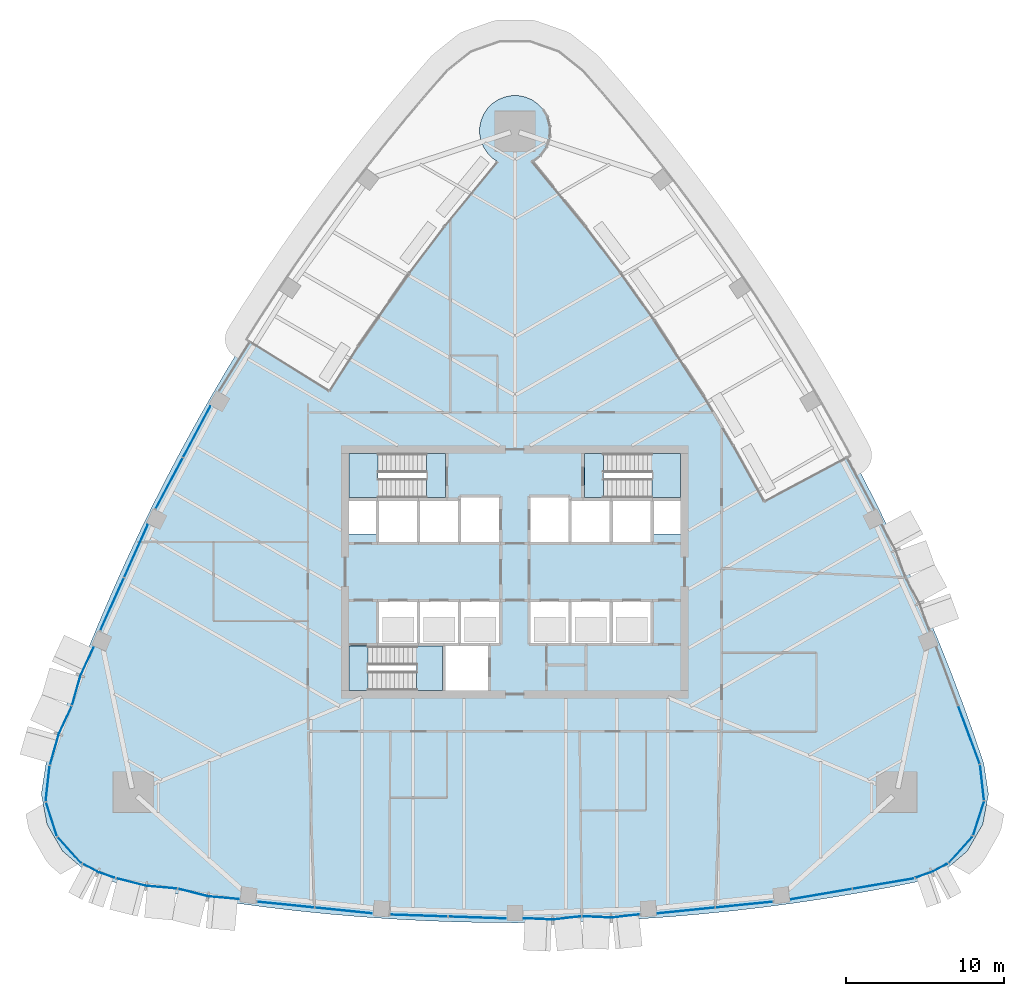
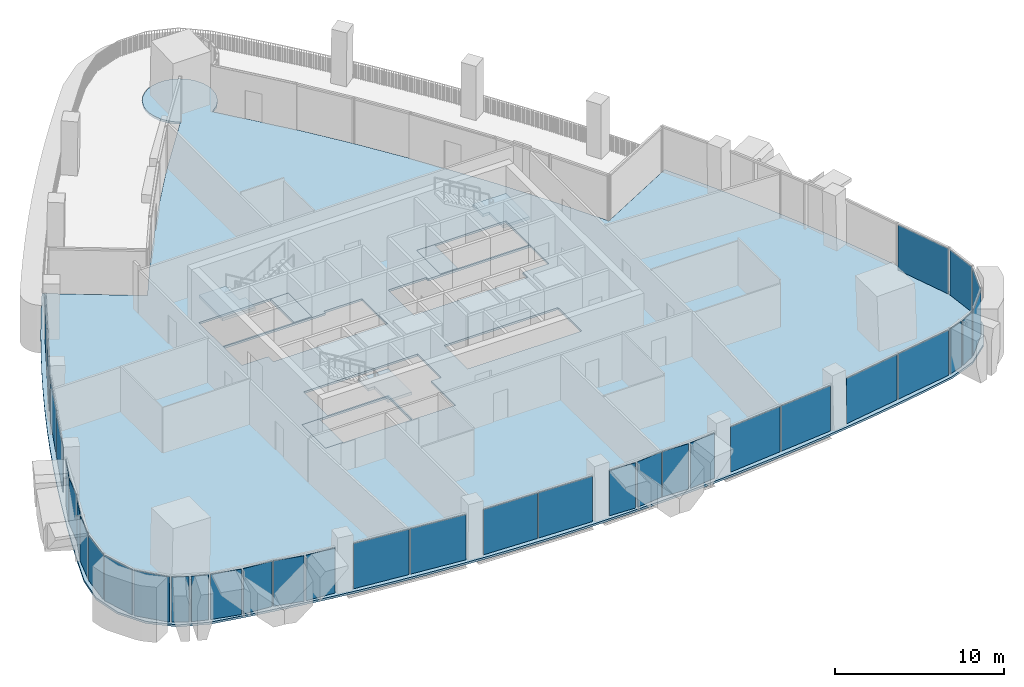
# One storey, part 8 of 21: 35 plates, 7 slabs, 21 elements without a shape of their own.
"""IFC4 building model written with IfcOpenShell, lengths in metres."""

from ifc_helpers import new_model, si_unit, direction, frame, origin, origin_2d, place, context, subcontext, project, spatial, polyline, rectangle, outline, extrude, material, layer, layer_set, type_object, element, aggregate, save


model = new_model("IFC4")

# Units and contexts
model_context = context("Model", 3, precision=1e-05, world=origin(), true_north=direction((0.0, 1.0)))
body_context = subcontext(model_context, "Body", "Model", "MODEL_VIEW")
ifc_project = project(units=[si_unit("LENGTHUNIT", "METRE"), si_unit("AREAUNIT", "SQUARE_METRE"), si_unit("VOLUMEUNIT", "CUBIC_METRE"), si_unit("PLANEANGLEUNIT", "RADIAN"), si_unit("MASSUNIT", "GRAM", prefix="KILO")], contexts=[model_context])

# Site, building, storey
site_placement = place(None, origin())
site = spatial("IfcSite", under=ifc_project, at=site_placement, CompositionType="ELEMENT")
building_placement = place(site_placement, origin())
building = spatial("IfcBuilding", under=site, at=building_placement, Name="Sierra Prisma Convention Tower", CompositionType="ELEMENT")
storey_placement = place(building_placement, frame((0.0, 0.0, 157.800048828125)))
storey = spatial("IfcBuildingStorey", under=building, at=storey_placement, Name="L34", CompositionType="ELEMENT", Elevation=157.800048828125)

# Curtain wall, plates
ifc_material_1 = material(Name="Aluminium and glass curtain wall", Category="aluminium")
ifc_layer_1 = layer(ifc_material_1, 0.179931640625)
ifc_layer_set_1 = layer_set([ifc_layer_1], Name="CW-1 Plain shaft curtain wall")
curtain_wall_type_1 = type_object("IfcCurtainWallType", Name="CW-1 Plain shaft curtain wall", PredefinedType="NOTDEFINED", material=ifc_layer_set_1)
curtain_wall_1_placement = place(storey_placement, origin())
curtain_wall_1 = element("IfcCurtainWall", 1, at=curtain_wall_1_placement, inside=storey, type_object=curtain_wall_type_1, Name="CW-1 NW4 L34", PredefinedType="NOTDEFINED")
ifc_material_2 = material(Name="Tinted glass bronze-grey IGU", Category="glass")
ifc_layer_2 = layer(ifc_material_2, 0.028076171875)
ifc_layer_set_2 = layer_set([ifc_layer_2], Name="CW-1 glass panel")
plate_type_1 = type_object("IfcPlateType", Name="CW-1 glass panel", PredefinedType="CURTAIN_PANEL", material=ifc_layer_set_2)
plate_1_placement = place(storey_placement, frame((-20.150146484375, 8.87841796875, 0.0), z_axis=(0.0, 0.0, 1.0), x_axis=(-0.470587643106, -0.88235325701, 0.0)))
plate_1 = element("IfcPlate", 2, at=plate_1_placement, type_object=plate_type_1, Name="CW-1 panel NW4.1", PredefinedType="CURTAIN_PANEL", context=body_context, shape_type="SweptSolid", body=[
    extrude(rectangle(XDim=3.634765625, YDim=0.028076171875, at=origin_2d()), origin(), (0.0, 0.0, 1.0), 3.280029296875),
])
plate_2_placement = place(storey_placement, frame((-21.8935546875, 5.609375, 0.0), z_axis=(0.0, 0.0, 1.0), x_axis=(-0.470587643106, -0.88235325701, 0.0)))
plate_2 = element("IfcPlate", 3, at=plate_2_placement, type_object=plate_type_1, Name="CW-1 panel NW4.2", PredefinedType="CURTAIN_PANEL", context=body_context, shape_type="SweptSolid", body=[
    extrude(rectangle(XDim=3.634765625, YDim=0.028076171875, at=origin_2d()), origin(), (0.0, 0.0, 1.0), 3.280029296875),
])
aggregate(curtain_wall_1, [plate_1, plate_2])

curtain_wall_2_placement = place(storey_placement, origin())
curtain_wall_2 = element("IfcCurtainWall", 4, at=curtain_wall_2_placement, inside=storey, type_object=curtain_wall_type_1, Name="CW-1 NW5 L34", PredefinedType="NOTDEFINED")
plate_3_placement = place(storey_placement, frame((-23.9990234375, 1.32177734375, 0.0), z_axis=(0.0, 0.0, 1.0), x_axis=(-0.410199145851, -0.911995976276, 0.0)))
plate_3 = element("IfcPlate", 5, at=plate_3_placement, type_object=plate_type_1, Name="CW-1 panel NW5.1", PredefinedType="CURTAIN_PANEL", context=body_context, shape_type="SweptSolid", body=[
    extrude(rectangle(XDim=3.61865234375, YDim=0.028076171875, at=origin_2d()), origin(), (0.0, 0.0, 1.0), 3.280029296875),
])
plate_4_placement = place(storey_placement, frame((-25.511962890625, -2.042236328125, 0.0), z_axis=(0.0, 0.0, 1.0), x_axis=(-0.410199145851, -0.911995976276, 0.0)))
plate_4 = element("IfcPlate", 6, at=plate_4_placement, type_object=plate_type_1, Name="CW-1 panel NW5.2", PredefinedType="CURTAIN_PANEL", context=body_context, shape_type="SweptSolid", body=[
    extrude(rectangle(XDim=3.61865234375, YDim=0.028076171875, at=origin_2d()), origin(), (0.0, 0.0, 1.0), 3.280029296875),
])
aggregate(curtain_wall_2, [plate_3, plate_4])

# Curtain wall, plate
curtain_wall_3_placement = place(storey_placement, origin())
curtain_wall_3 = element("IfcCurtainWall", 7, at=curtain_wall_3_placement, inside=storey, type_object=curtain_wall_type_1, Name="CW-1 SW1 L34", PredefinedType="NOTDEFINED")
plate_5_placement = place(storey_placement, frame((-29.589599609375, -13.371826171875, 0.0), z_axis=(0.0, 0.0, 1.0), x_axis=(-0.110185660095, -0.99391102233, 0.0)))
plate_5 = element("IfcPlate", 8, at=plate_5_placement, type_object=plate_type_1, Name="CW-1 panel SW1.1", PredefinedType="CURTAIN_PANEL", context=body_context, shape_type="SweptSolid", body=[
    extrude(rectangle(XDim=2.1884765625, YDim=0.028076171875, at=origin_2d()), origin(), (0.0, 0.0, 1.0), 3.280029296875),
])
aggregate(curtain_wall_3, [plate_5])

curtain_wall_4_placement = place(storey_placement, origin())
curtain_wall_4 = element("IfcCurtainWall", 9, at=curtain_wall_4_placement, inside=storey, type_object=curtain_wall_type_1, Name="CW-1 SW2 L34", PredefinedType="NOTDEFINED")
plate_6_placement = place(storey_placement, frame((-29.3603515625, -15.63671875, 0.0), z_axis=(0.0, 0.0, 1.0), x_axis=(0.307212573762, -0.951640916797, 0.0)))
plate_6 = element("IfcPlate", 10, at=plate_6_placement, type_object=plate_type_1, Name="CW-1 panel SW2.1", PredefinedType="CURTAIN_PANEL", context=body_context, shape_type="SweptSolid", body=[
    extrude(rectangle(XDim=2.1884765625, YDim=0.028076171875, at=origin_2d()), origin(), (0.0, 0.0, 1.0), 3.280029296875),
])
aggregate(curtain_wall_4, [plate_6])

curtain_wall_5_placement = place(storey_placement, origin())
curtain_wall_5 = element("IfcCurtainWall", 11, at=curtain_wall_5_placement, inside=storey, type_object=curtain_wall_type_1, Name="CW-1 SW3 L34", PredefinedType="NOTDEFINED")
plate_7_placement = place(storey_placement, frame((-28.221923828125, -17.6083984375, 0.0), z_axis=(0.0, 0.0, 1.0), x_axis=(0.670538922346, -0.741874351638, 0.0)))
plate_7 = element("IfcPlate", 12, at=plate_7_placement, type_object=plate_type_1, Name="CW-1 panel SW3.1", PredefinedType="CURTAIN_PANEL", context=body_context, shape_type="SweptSolid", body=[
    extrude(rectangle(XDim=2.1884765625, YDim=0.028076171875, at=origin_2d()), origin(), (0.0, 0.0, 1.0), 3.280029296875),
])
aggregate(curtain_wall_5, [plate_7])

# Curtain wall, plates
curtain_wall_6_placement = place(storey_placement, origin())
curtain_wall_6 = element("IfcCurtainWall", 13, at=curtain_wall_6_placement, inside=storey, type_object=curtain_wall_type_1, Name="CW-1 S2 L34", PredefinedType="NOTDEFINED")
plate_8_placement = place(storey_placement, frame((-14.524658203125, -21.072998046875, 0.0), z_axis=(0.0, 0.0, 1.0), x_axis=(0.994911256529, -0.10075510722, 0.0)))
plate_8 = element("IfcPlate", 14, at=plate_8_placement, type_object=plate_type_1, Name="CW-1 panel S2.1", PredefinedType="CURTAIN_PANEL", context=body_context, shape_type="SweptSolid", body=[
    extrude(rectangle(XDim=3.61865234375, YDim=0.028076171875, at=origin_2d()), origin(), (0.0, 0.0, 1.0), 3.280029296875),
])
plate_9_placement = place(storey_placement, frame((-10.854736328125, -21.444580078125, 0.0), z_axis=(0.0, 0.0, 1.0), x_axis=(0.994911256529, -0.10075510722, 0.0)))
plate_9 = element("IfcPlate", 15, at=plate_9_placement, type_object=plate_type_1, Name="CW-1 panel S2.2", PredefinedType="CURTAIN_PANEL", context=body_context, shape_type="SweptSolid", body=[
    extrude(rectangle(XDim=3.61865234375, YDim=0.028076171875, at=origin_2d()), origin(), (0.0, 0.0, 1.0), 3.280029296875),
])
aggregate(curtain_wall_6, [plate_8, plate_9])

curtain_wall_7_placement = place(storey_placement, origin())
curtain_wall_7 = element("IfcCurtainWall", 16, at=curtain_wall_7_placement, inside=storey, type_object=curtain_wall_type_1, Name="CW-1 S3 L34", PredefinedType="NOTDEFINED")
plate_10_placement = place(storey_placement, frame((-6.0888671875, -21.76513671875, 0.0), z_axis=(0.0, 0.0, 1.0), x_axis=(0.999434157235, -0.033635774868, 0.0)))
plate_10 = element("IfcPlate", 17, at=plate_10_placement, type_object=plate_type_1, Name="CW-1 panel S3.1", PredefinedType="CURTAIN_PANEL", context=body_context, shape_type="SweptSolid", body=[
    extrude(rectangle(XDim=3.634765625, YDim=0.028076171875, at=origin_2d()), origin(), (0.0, 0.0, 1.0), 3.280029296875),
])
plate_11_placement = place(storey_placement, frame((-2.385986328125, -21.8896484375, 0.0), z_axis=(0.0, 0.0, 1.0), x_axis=(0.999434157235, -0.033635774868, 0.0)))
plate_11 = element("IfcPlate", 18, at=plate_11_placement, type_object=plate_type_1, Name="CW-1 panel S3.2", PredefinedType="CURTAIN_PANEL", context=body_context, shape_type="SweptSolid", body=[
    extrude(rectangle(XDim=3.634765625, YDim=0.028076171875, at=origin_2d()), origin(), (0.0, 0.0, 1.0), 3.280029296875),
])
aggregate(curtain_wall_7, [plate_10, plate_11])

curtain_wall_8_placement = place(storey_placement, origin())
curtain_wall_8 = element("IfcCurtainWall", 19, at=curtain_wall_8_placement, inside=storey, type_object=curtain_wall_type_1, Name="CW-1 S5 L34", PredefinedType="NOTDEFINED")
plate_12_placement = place(storey_placement, frame((10.854736328125, -21.444580078125, 0.0), z_axis=(0.0, 0.0, 1.0), x_axis=(0.994911256529, 0.10075510722, 0.0)))
plate_12 = element("IfcPlate", 20, at=plate_12_placement, type_object=plate_type_1, Name="CW-1 panel S5.1", PredefinedType="CURTAIN_PANEL", context=body_context, shape_type="SweptSolid", body=[
    extrude(rectangle(XDim=3.61865234375, YDim=0.028076171875, at=origin_2d()), origin(), (0.0, 0.0, 1.0), 3.280029296875),
])
plate_13_placement = place(storey_placement, frame((14.524658203125, -21.072998046875, 0.0), z_axis=(0.0, 0.0, 1.0), x_axis=(0.994911256529, 0.10075510722, 0.0)))
plate_13 = element("IfcPlate", 21, at=plate_13_placement, type_object=plate_type_1, Name="CW-1 panel S5.2", PredefinedType="CURTAIN_PANEL", context=body_context, shape_type="SweptSolid", body=[
    extrude(rectangle(XDim=3.61865234375, YDim=0.028076171875, at=origin_2d()), origin(), (0.0, 0.0, 1.0), 3.280029296875),
])
aggregate(curtain_wall_8, [plate_12, plate_13])

curtain_wall_9_placement = place(storey_placement, origin())
curtain_wall_9 = element("IfcCurtainWall", 22, at=curtain_wall_9_placement, inside=storey, type_object=curtain_wall_type_1, Name="CW-1 S6 L34", PredefinedType="NOTDEFINED")
plate_14_placement = place(storey_placement, frame((19.41650390625, -20.407470703125, 0.0), z_axis=(0.0, 0.0, 1.0), x_axis=(0.985885923329, 0.167418476224, 0.0)))
plate_14 = element("IfcPlate", 23, at=plate_14_placement, type_object=plate_type_1, Name="CW-1 panel S6.1", PredefinedType="CURTAIN_PANEL", context=body_context, shape_type="SweptSolid", body=[
    extrude(rectangle(XDim=3.89111328125, YDim=0.028076171875, at=origin_2d()), origin(), (0.0, 0.0, 1.0), 3.280029296875),
])
plate_15_placement = place(storey_placement, frame((23.32177734375, -19.744384765625, 0.0), z_axis=(0.0, 0.0, 1.0), x_axis=(0.985885923329, 0.167418476224, 0.0)))
plate_15 = element("IfcPlate", 24, at=plate_15_placement, type_object=plate_type_1, Name="CW-1 panel S6.2", PredefinedType="CURTAIN_PANEL", context=body_context, shape_type="SweptSolid", body=[
    extrude(rectangle(XDim=3.89111328125, YDim=0.028076171875, at=origin_2d()), origin(), (0.0, 0.0, 1.0), 3.280029296875),
])
aggregate(curtain_wall_9, [plate_14, plate_15])

# Curtain wall, plate
curtain_wall_10_placement = place(storey_placement, origin())
curtain_wall_10 = element("IfcCurtainWall", 25, at=curtain_wall_10_placement, inside=storey, type_object=curtain_wall_type_1, Name="CW-1 SE2 L34", PredefinedType="NOTDEFINED")
plate_16_placement = place(storey_placement, frame((28.221923828125, -17.6083984375, 0.0), z_axis=(0.0, 0.0, 1.0), x_axis=(0.670538922346, 0.741874351638, 0.0)))
plate_16 = element("IfcPlate", 26, at=plate_16_placement, type_object=plate_type_1, Name="CW-1 panel SE2.1", PredefinedType="CURTAIN_PANEL", context=body_context, shape_type="SweptSolid", body=[
    extrude(rectangle(XDim=2.1884765625, YDim=0.028076171875, at=origin_2d()), origin(), (0.0, 0.0, 1.0), 3.280029296875),
])
aggregate(curtain_wall_10, [plate_16])

curtain_wall_11_placement = place(storey_placement, origin())
curtain_wall_11 = element("IfcCurtainWall", 27, at=curtain_wall_11_placement, inside=storey, type_object=curtain_wall_type_1, Name="CW-1 SE3 L34", PredefinedType="NOTDEFINED")
plate_17_placement = place(storey_placement, frame((29.3603515625, -15.63671875, 0.0), z_axis=(0.0, 0.0, 1.0), x_axis=(0.307212573762, 0.951640916797, 0.0)))
plate_17 = element("IfcPlate", 28, at=plate_17_placement, type_object=plate_type_1, Name="CW-1 panel SE3.1", PredefinedType="CURTAIN_PANEL", context=body_context, shape_type="SweptSolid", body=[
    extrude(rectangle(XDim=2.1884765625, YDim=0.028076171875, at=origin_2d()), origin(), (0.0, 0.0, 1.0), 3.280029296875),
])
aggregate(curtain_wall_11, [plate_17])

curtain_wall_12_placement = place(storey_placement, origin())
curtain_wall_12 = element("IfcCurtainWall", 29, at=curtain_wall_12_placement, inside=storey, type_object=curtain_wall_type_1, Name="CW-1 SE4 L34", PredefinedType="NOTDEFINED")
plate_18_placement = place(storey_placement, frame((29.589599609375, -13.371826171875, 0.0), z_axis=(0.0, 0.0, 1.0), x_axis=(-0.110185660095, 0.99391102233, 0.0)))
plate_18 = element("IfcPlate", 30, at=plate_18_placement, type_object=plate_type_1, Name="CW-1 panel SE4.1", PredefinedType="CURTAIN_PANEL", context=body_context, shape_type="SweptSolid", body=[
    extrude(rectangle(XDim=2.1884765625, YDim=0.028076171875, at=origin_2d()), origin(), (0.0, 0.0, 1.0), 3.280029296875),
])
aggregate(curtain_wall_12, [plate_18])

curtain_wall_13_placement = place(storey_placement, origin())
curtain_wall_13 = element("IfcCurtainWall", 31, at=curtain_wall_13_placement, inside=storey, type_object=curtain_wall_type_1, Name="CW-1 NE1 L34", PredefinedType="NOTDEFINED")
plate_19_placement = place(storey_placement, frame((28.760009765625, -10.324951171875, 0.0), z_axis=(0.0, 0.0, 1.0), x_axis=(-0.347954308192, 0.937511492949, 0.0)))
plate_19 = element("IfcPlate", 32, at=plate_19_placement, type_object=plate_type_1, Name="CW-1 panel NE1.1", PredefinedType="CURTAIN_PANEL", context=body_context, shape_type="SweptSolid", body=[
    extrude(rectangle(XDim=3.89111328125, YDim=0.028076171875, at=origin_2d()), origin(), (0.0, 0.0, 1.0), 3.280029296875),
])
aggregate(curtain_wall_13, [plate_19])

# Curtain wall, plates
ifc_material_3 = material(Name="Aluminium and glass curtain wall", Category="aluminium")
ifc_layer_3 = layer(ifc_material_3, 0.179931640625)
ifc_layer_set_3 = layer_set([ifc_layer_3], Name="CW-2 Faceted crystal curtain wall")
curtain_wall_type_2 = type_object("IfcCurtainWallType", Name="CW-2 Faceted crystal curtain wall", PredefinedType="NOTDEFINED", material=ifc_layer_set_3)
curtain_wall_14_placement = place(storey_placement, origin())
curtain_wall_14 = element("IfcCurtainWall", 33, at=curtain_wall_14_placement, inside=storey, type_object=curtain_wall_type_2, Name="CW-2 NW6 L34", PredefinedType="NOTDEFINED")
ifc_material_4 = material(Name="Tinted glass bronze-grey IGU", Category="glass")
ifc_layer_4 = layer(ifc_material_4, 0.028076171875)
ifc_layer_set_4 = layer_set([ifc_layer_4], Name="CW-2 crystal pane")
plate_type_2 = type_object("IfcPlateType", Name="CW-2 crystal pane", PredefinedType="CURTAIN_PANEL", material=ifc_layer_set_4)
plate_20_placement = place(storey_placement, frame((-26.704833984375, -4.787353515625, 0.0), z_axis=(-0.907333481002, 0.42041164857, 0.0), x_axis=(-0.42041164857, -0.907333481002, 0.0)))
plate_20 = element("IfcPlate", 34, at=plate_20_placement, type_object=plate_type_2, Name="CW-2 pane NW6.1.1", PredefinedType="CURTAIN_PANEL", context=body_context, shape_type="SweptSolid", body=[
    extrude(outline(polyline([(0.0, 0.0), (1.886752884518511, 0.0), (1.886752884518511, 3.280029296875), (0.0, 3.280029296875), (0.0, 0.0)])), origin(), (0.0, 0.0, -1.0), 0.028076171875),
])
plate_21_placement = place(storey_placement, frame((-28.05859375, -8.435302734375, 0.0), z_axis=(-0.961923372484, 0.273319273871, 0.0), x_axis=(0.273319273871, 0.961923372484, 0.0)))
plate_21 = element("IfcPlate", 35, at=plate_21_placement, type_object=plate_type_2, Name="CW-2 pane NW6.1.2", PredefinedType="CURTAIN_PANEL", context=body_context, shape_type="SweptSolid", body=[
    extrude(outline(polyline([(0.0, 0.0), (1.8865299643768851, 0.0), (1.8865299643768851, -3.280029296875), (0.0, -3.280029296875), (0.0, 0.0)])), origin(), (0.0, 0.0, -1.0), 0.028076171875),
])
plate_22_placement = place(storey_placement, frame((-28.0830078125, -8.5009765625, 0.0), z_axis=(-0.907310606534, 0.420461012784, 0.0), x_axis=(-0.420461012784, -0.907310606534, 0.0)))
plate_22 = element("IfcPlate", 36, at=plate_22_placement, type_object=plate_type_2, Name="CW-2 pane NW6.2.1", PredefinedType="CURTAIN_PANEL", context=body_context, shape_type="SweptSolid", body=[
    extrude(outline(polyline([(0.0, 0.0), (1.8865313703475057, 0.0), (1.8865313703475057, 3.280029296875), (0.0, 3.280029296875), (0.0, 0.0)])), origin(), (0.0, 0.0, -1.0), 0.028076171875),
])
plate_23_placement = place(storey_placement, frame((-29.43701171875, -12.14892578125, 0.0), z_axis=(-0.961923372484, 0.273319273871, 0.0), x_axis=(0.273319273871, 0.961923372484, 0.0)))
plate_23 = element("IfcPlate", 37, at=plate_23_placement, type_object=plate_type_2, Name="CW-2 pane NW6.2.2", PredefinedType="CURTAIN_PANEL", context=body_context, shape_type="SweptSolid", body=[
    extrude(outline(polyline([(0.0, 0.0), (1.8865299643768851, 0.0), (1.8865299643768851, -3.280029296875), (0.0, -3.280029296875), (0.0, 0.0)])), origin(), (0.0, 0.0, -1.0), 0.028076171875),
])
aggregate(curtain_wall_14, [plate_20, plate_21, plate_22, plate_23])

curtain_wall_15_placement = place(storey_placement, origin())
curtain_wall_15 = element("IfcCurtainWall", 38, at=curtain_wall_15_placement, inside=storey, type_object=curtain_wall_type_2, Name="CW-2 SW4 L34", PredefinedType="NOTDEFINED")
plate_24_placement = place(storey_placement, frame((-27.377197265625, -18.500244140625, 0.0), z_axis=(-0.472195165871, -0.881494030228, 0.0), x_axis=(0.881494030228, -0.472195165871, 0.0)))
plate_24 = element("IfcPlate", 39, at=plate_24_placement, type_object=plate_type_2, Name="CW-2 pane SW4.1.1", PredefinedType="CURTAIN_PANEL", context=body_context, shape_type="SweptSolid", body=[
    extrude(outline(polyline([(0.0, 0.0), (1.032515500716635, 0.0), (1.032515500716635, 3.2800292968749996), (0.0, 3.2800292968749996), (0.0, 0.0)])), origin(), (0.0, 0.0, -1.0), 0.028076171875),
])
plate_25_placement = place(storey_placement, frame((-25.373046875, -19.37890625, 0.0), z_axis=(-0.328474763618, -0.944512747223, 0.0), x_axis=(-0.944512747223, 0.328474763618, 0.0)))
plate_25 = element("IfcPlate", 40, at=plate_25_placement, type_object=plate_type_2, Name="CW-2 pane SW4.1.2", PredefinedType="CURTAIN_PANEL", context=body_context, shape_type="SweptSolid", body=[
    extrude(outline(polyline([(0.0, 0.0), (1.0323816794611114, 0.0), (1.0323816794611114, -3.280029296875), (0.0, -3.280029296875), (0.0, 0.0)])), origin(), (0.0, 0.0, -1.0), 0.028076171875),
])
aggregate(curtain_wall_15, [plate_24, plate_25])

curtain_wall_16_placement = place(storey_placement, origin())
curtain_wall_16 = element("IfcCurtainWall", 41, at=curtain_wall_16_placement, inside=storey, type_object=curtain_wall_type_2, Name="CW-2 S1 L34", PredefinedType="NOTDEFINED")
plate_26_placement = place(storey_placement, frame((-25.23974609375, -19.418701171875, 0.0), z_axis=(-0.244210073189, -0.969722352095, 0.0), x_axis=(0.969722352095, -0.244210073189, 0.0)))
plate_26 = element("IfcPlate", 42, at=plate_26_placement, type_object=plate_type_2, Name="CW-2 pane S1.1.1", PredefinedType="CURTAIN_PANEL", context=body_context, shape_type="SweptSolid", body=[
    extrude(outline(polyline([(0.0, 0.0), (1.8864633770402552, 0.0), (1.8864633770402552, 3.280029296875), (0.0, 3.280029296875), (0.0, 0.0)])), origin(), (0.0, 0.0, -1.0), 0.028076171875),
])
plate_27_placement = place(storey_placement, frame((-21.403564453125, -20.070068359375, 0.0), z_axis=(-0.089543996934, -0.99598286763, 0.0), x_axis=(-0.99598286763, 0.089543996934, 0.0)))
plate_27 = element("IfcPlate", 43, at=plate_27_placement, type_object=plate_type_2, Name="CW-2 pane S1.1.2", PredefinedType="CURTAIN_PANEL", context=body_context, shape_type="SweptSolid", body=[
    extrude(outline(polyline([(0.0, 0.0), (1.8867296333078072, 0.0), (1.8867296333078072, -3.280029296875), (0.0, -3.280029296875), (0.0, 0.0)])), origin(), (0.0, 0.0, -1.0), 0.028076171875),
])
plate_28_placement = place(storey_placement, frame((-21.334716796875, -20.081787109375, 0.0), z_axis=(-0.244301108627, -0.969699421637, 0.0), x_axis=(0.969699421637, -0.244301108627, 0.0)))
plate_28 = element("IfcPlate", 44, at=plate_28_placement, type_object=plate_type_2, Name="CW-2 pane S1.2.1", PredefinedType="CURTAIN_PANEL", context=body_context, shape_type="SweptSolid", body=[
    extrude(outline(polyline([(0.0, 0.0), (1.886759755575521, 0.0), (1.886759755575521, 3.280029296875), (0.0, 3.280029296875), (0.0, 0.0)])), origin(), (0.0, 0.0, -1.0), 0.028076171875),
])
plate_29_placement = place(storey_placement, frame((-17.498291015625, -20.7333984375, 0.0), z_axis=(-0.089543996934, -0.99598286763, 0.0), x_axis=(-0.99598286763, 0.089543996934, 0.0)))
plate_29 = element("IfcPlate", 45, at=plate_29_placement, type_object=plate_type_2, Name="CW-2 pane S1.2.2", PredefinedType="CURTAIN_PANEL", context=body_context, shape_type="SweptSolid", body=[
    extrude(outline(polyline([(0.0, 0.0), (1.8867296333078072, 0.0), (1.8867296333078072, -3.280029296875), (0.0, -3.280029296875), (0.0, 0.0)])), origin(), (0.0, 0.0, -1.0), 0.028076171875),
])
aggregate(curtain_wall_16, [plate_26, plate_27, plate_28, plate_29])

curtain_wall_17_placement = place(storey_placement, origin())
curtain_wall_17 = element("IfcCurtainWall", 46, at=curtain_wall_17_placement, inside=storey, type_object=curtain_wall_type_2, Name="CW-2 S4 L34", PredefinedType="NOTDEFINED")
plate_30_placement = place(storey_placement, frame((0.569580078125, -21.950927734375, 0.0), z_axis=(-0.044853339888, -0.998993582512, 0.0), x_axis=(0.998993582512, -0.044853339888, 0.0)))
plate_30 = element("IfcPlate", 47, at=plate_30_placement, type_object=plate_type_2, Name="CW-2 pane S4.1.1", PredefinedType="CURTAIN_PANEL", context=body_context, shape_type="SweptSolid", body=[
    extrude(outline(polyline([(0.0, 0.0), (1.758117056000436, 0.0), (1.758117056000436, 3.280029296875), (0.0, 3.280029296875), (0.0, 0.0)])), origin(), (0.0, 0.0, -1.0), 0.028076171875),
])
plate_31_placement = place(storey_placement, frame((4.202392578125, -21.82861328125, 0.0), z_axis=(0.111940491832, -0.993714911979, 0.0), x_axis=(-0.993714911979, -0.111940491832, 0.0)))
plate_31 = element("IfcPlate", 48, at=plate_31_placement, type_object=plate_type_2, Name="CW-2 pane S4.1.2", PredefinedType="CURTAIN_PANEL", context=body_context, shape_type="SweptSolid", body=[
    extrude(outline(polyline([(0.0, 0.0), (1.7578745682672507, 0.0), (1.7578745682672507, -3.280029296875001), (0.0, -3.280029296875001), (0.0, 0.0)])), origin(), (0.0, 0.0, -1.0), 0.028076171875),
])
plate_32_placement = place(storey_placement, frame((4.2724609375, -21.826171875, 0.0), z_axis=(-0.044859563033, -0.998993303083, 0.0), x_axis=(0.998993303083, -0.044859563033, 0.0)))
plate_32 = element("IfcPlate", 49, at=plate_32_placement, type_object=plate_type_2, Name="CW-2 pane S4.2.1", PredefinedType="CURTAIN_PANEL", context=body_context, shape_type="SweptSolid", body=[
    extrude(outline(polyline([(0.0, 0.0), (1.7578731611169383, 0.0), (1.7578731611169383, 3.280029296875001), (0.0, 3.280029296875001), (0.0, 0.0)])), origin(), (0.0, 0.0, -1.0), 0.028076171875),
])
plate_33_placement = place(storey_placement, frame((7.9052734375, -21.703857421875, 0.0), z_axis=(0.112062166953, -0.993701197915, 0.0), x_axis=(-0.993701197915, -0.112062166953, 0.0)))
plate_33 = element("IfcPlate", 50, at=plate_33_placement, type_object=plate_type_2, Name="CW-2 pane S4.2.2", PredefinedType="CURTAIN_PANEL", context=body_context, shape_type="SweptSolid", body=[
    extrude(outline(polyline([(0.0, 0.0), (1.7581445168484235, 0.0), (1.7581445168484235, -3.280029296875), (0.0, -3.280029296875), (0.0, 0.0)])), origin(), (0.0, 0.0, -1.0), 0.028076171875),
])
aggregate(curtain_wall_17, [plate_30, plate_31, plate_32, plate_33])

curtain_wall_18_placement = place(storey_placement, origin())
curtain_wall_18 = element("IfcCurtainWall", 51, at=curtain_wall_18_placement, inside=storey, type_object=curtain_wall_type_2, Name="CW-2 SE1 L34", PredefinedType="NOTDEFINED")
plate_34_placement = place(storey_placement, frame((25.373046875, -19.37890625, 0.0), z_axis=(0.328474763618, -0.944512747223, 0.0), x_axis=(0.944512747223, 0.328474763618, 0.0)))
plate_34 = element("IfcPlate", 52, at=plate_34_placement, type_object=plate_type_2, Name="CW-2 pane SE1.1.1", PredefinedType="CURTAIN_PANEL", context=body_context, shape_type="SweptSolid", body=[
    extrude(outline(polyline([(0.0, 0.0), (1.0323816794611114, 0.0), (1.0323816794611114, 3.280029296875), (0.0, 3.280029296875), (0.0, 0.0)])), origin(), (0.0, 0.0, -1.0), 0.028076171875),
])
plate_35_placement = place(storey_placement, frame((27.377197265625, -18.500244140625, 0.0), z_axis=(0.472195165871, -0.881494030228, 0.0), x_axis=(-0.881494030228, -0.472195165871, 0.0)))
plate_35 = element("IfcPlate", 53, at=plate_35_placement, type_object=plate_type_2, Name="CW-2 pane SE1.1.2", PredefinedType="CURTAIN_PANEL", context=body_context, shape_type="SweptSolid", body=[
    extrude(outline(polyline([(0.0, 0.0), (1.032515500716635, 0.0), (1.032515500716635, -3.2800292968749996), (0.0, -3.2800292968749996), (0.0, 0.0)])), origin(), (0.0, 0.0, -1.0), 0.028076171875),
])
aggregate(curtain_wall_18, [plate_34, plate_35])

# Slab
ifc_material_5 = material(Name="Concrete C35/45", Category="concrete")
ifc_layer_5 = layer(ifc_material_5, 0.14990234375)
ifc_layer_set_5 = layer_set([ifc_layer_5], Name="Composite floor slab 150")
slab_type_1 = type_object("IfcSlabType", Name="Composite floor slab 150", PredefinedType="FLOOR", material=ifc_layer_set_5)
slab_1_placement = place(storey_placement, frame((0.0, 0.0, -0.150146484375)))
element("IfcSlab", 54, at=slab_1_placement, inside=storey, type_object=slab_type_1, Name="Floor slab L34 floor", PredefinedType="FLOOR", context=body_context, shape_type="SweptSolid", body=[
    extrude(outline(polyline([(22.069091796875, 5.940673828125), (21.304443359375, 7.392822265625), (15.78662109375, 4.451904296875), (13.830322265625, 7.98486328125), (11.913330078125, 11.18896484375), (8.85400390625, 15.8798828125), (6.6943359375, 18.92578125), (4.441162109375, 21.903076171875), (1.09716796875, 25.990234375), (1.582763671875, 26.3564453125), (1.97412109375, 26.884033203125), (2.195556640625, 27.502685546875), (2.227783203125, 28.15869140625), (2.068115234375, 28.7958984375), (1.73046875, 29.359375), (1.420166015625, 29.669677734375), (1.05517578125, 29.91357421875), (0.64990234375, 30.081298828125), (0.219482421875, 30.1669921875), (-0.219482421875, 30.1669921875), (-0.64990234375, 30.081298828125), (-1.05517578125, 29.91357421875), (-1.420166015625, 29.669677734375), (-1.73046875, 29.359375), (-1.97412109375, 28.994384765625), (-2.14208984375, 28.589111328125), (-2.227783203125, 28.15869140625), (-2.227783203125, 27.719970703125), (-2.14208984375, 27.28955078125), (-1.97412109375, 26.884033203125), (-1.73046875, 26.519287109375), (-1.420166015625, 26.208984375), (-1.09716796875, 25.990234375), (-4.441162109375, 21.903076171875), (-6.6943359375, 18.92578125), (-9.89794921875, 14.33203125), (-11.750732421875, 11.447021484375), (-17.054443359375, 14.753662109375), (-17.2265625, 14.480712890625), (-18.247802734375, 12.80322265625), (-19.2431640625, 11.110107421875), (-20.2119140625, 9.401611328125), (-21.154052734375, 7.67822265625), (-22.069091796875, 5.940673828125), (-22.957275390625, 4.18896484375), (-23.818115234375, 2.423583984375), (-24.651611328125, 0.645263671875), (-25.45703125, -1.14599609375), (-26.23486328125, -2.94921875), (-26.984375, -4.7646484375), (-27.705810546875, -6.59130859375), (-28.398681640625, -8.428955078125), (-29.06298828125, -10.27734375), (-29.698486328125, -12.135498046875), (-29.995361328125, -14.064697265625), (-29.635498046875, -15.983154296875), (-28.659423828125, -17.673583984375), (-27.177978515625, -18.9443359375), (-25.35888671875, -19.65185546875), (-23.431884765625, -20.03076171875), (-21.4990234375, -20.379638671875), (-19.561279296875, -20.6982421875), (-17.618408203125, -20.987060546875), (-15.671630859375, -21.245361328125), (-13.720947265625, -21.4736328125), (-11.766845703125, -21.67138671875), (-9.81005859375, -21.839111328125), (-7.850830078125, -21.97607421875), (-5.889892578125, -22.082763671875), (-3.92724609375, -22.158935546875), (-1.9638671875, -22.204833984375), (0.0, -22.219970703125), (1.9638671875, -22.204833984375), (3.92724609375, -22.158935546875), (5.889892578125, -22.082763671875), (7.850830078125, -21.97607421875), (9.81005859375, -21.839111328125), (11.766845703125, -21.67138671875), (13.720947265625, -21.4736328125), (15.671630859375, -21.245361328125), (17.618408203125, -20.987060546875), (19.561279296875, -20.6982421875), (21.4990234375, -20.379638671875), (23.431884765625, -20.03076171875), (25.35888671875, -19.65185546875), (27.177978515625, -18.9443359375), (28.659423828125, -17.673583984375), (29.635498046875, -15.983154296875), (29.995361328125, -14.064697265625), (29.698486328125, -12.135498046875), (29.06298828125, -10.27734375), (28.398681640625, -8.428955078125), (27.705810546875, -6.59130859375), (26.984375, -4.7646484375), (26.23486328125, -2.94921875), (25.45703125, -1.14599609375), (24.651611328125, 0.645263671875), (23.818115234375, 2.423583984375), (22.957275390625, 4.18896484375), (22.069091796875, 5.940673828125)]), holes=[polyline([(-4.60009765625, -7.5), (-10.5, -7.5), (-10.5, -4.699951171875), (-4.60009765625, -4.699951171875), (-4.60009765625, -7.5)]), polyline([(-8.699951171875, -4.60009765625), (-8.699951171875, -1.800048828125), (-6.10009765625, -1.800048828125), (-3.5, -1.800048828125), (-0.89990234375, -1.800048828125), (-0.89990234375, -4.60009765625), (-1.60009765625, -4.60009765625), (-1.60009765625, -7.5), (-4.5, -7.5), (-4.5, -4.60009765625), (-6.10009765625, -4.60009765625), (-8.699951171875, -4.60009765625)]), polyline([(-10.5, 4.60009765625), (-8.699951171875, 4.60009765625), (-6.10009765625, 4.60009765625), (-3.5, 4.60009765625), (-3.5, 4.800048828125), (-0.89990234375, 4.800048828125), (-0.89990234375, 1.800048828125), (-3.5, 1.800048828125), (-6.10009765625, 1.800048828125), (-8.699951171875, 1.800048828125), (-8.699951171875, 2.39990234375), (-10.5, 2.39990234375), (-10.5, 4.60009765625)]), polyline([(-10.5, 4.699951171875), (-10.5, 7.5), (-4.39990234375, 7.5), (-4.39990234375, 4.699951171875), (-10.5, 4.699951171875)]), polyline([(6.10009765625, -1.800048828125), (8.699951171875, -1.800048828125), (8.699951171875, -4.60009765625), (6.10009765625, -4.60009765625), (3.5, -4.60009765625), (0.89990234375, -4.60009765625), (0.89990234375, -1.800048828125), (3.5, -1.800048828125), (6.10009765625, -1.800048828125)]), polyline([(8.699951171875, 4.60009765625), (10.5, 4.60009765625), (10.5, 2.39990234375), (8.699951171875, 2.39990234375), (8.699951171875, 1.800048828125), (6.10009765625, 1.800048828125), (3.5, 1.800048828125), (0.89990234375, 1.800048828125), (0.89990234375, 4.800048828125), (3.5, 4.800048828125), (3.5, 4.60009765625), (6.10009765625, 4.60009765625), (8.699951171875, 4.60009765625)]), polyline([(4.39990234375, 4.699951171875), (4.39990234375, 7.5), (10.5, 7.5), (10.5, 4.699951171875), (4.39990234375, 4.699951171875)])]), origin(), (0.0, 0.0, 1.0), 0.150146484375),
])

# Stair, slab
ifc_material_6 = material(Name="Concrete C30/37", Category="concrete")
stair_type = type_object("IfcStairType", Name="Stair dog-leg 1200 RC", PredefinedType="HALF_TURN_STAIR", material=ifc_material_6)
stair_1_placement = place(storey_placement, origin())
stair_1 = element("IfcStair", 55, at=stair_1_placement, inside=storey, type_object=stair_type, Name="L34 S1", PredefinedType="HALF_TURN_STAIR")
ifc_material_7 = material(Name="Concrete C35/45", Category="concrete")
ifc_layer_6 = layer(ifc_material_7, 0.199951171875)
ifc_layer_set_6 = layer_set([ifc_layer_6], Name="Stair landing slab")
slab_type_2 = type_object("IfcSlabType", Name="Stair landing slab", PredefinedType="LANDING", material=ifc_layer_set_6)
slab_2_placement = place(storey_placement, frame((0.0, 0.0, 1.800048828125)))
slab_2 = element("IfcSlab", 56, at=slab_2_placement, type_object=slab_type_2, Name="S1 landing 1", PredefinedType="LANDING", context=body_context, shape_type="SweptSolid", body=[
    extrude(outline(polyline([(-4.60009765625, -4.699951171875), (-4.60009765625, -7.5), (-6.221923828125, -7.5), (-6.221923828125, -5.89990234375), (-6.669921875, -5.89990234375), (-6.669921875, -4.699951171875), (-4.60009765625, -4.699951171875)])), origin(), (0.0, 0.0, 1.0), 0.199951171875),
])
aggregate(stair_1, [slab_2])

# Slab
slab_3_placement = place(storey_placement, frame((0.0, 0.0, -0.199951171875)))
element("IfcSlab", 57, at=slab_3_placement, inside=storey, type_object=slab_type_2, Name="S1 floor landing L34", PredefinedType="LANDING", context=body_context, shape_type="SweptSolid", body=[
    extrude(outline(polyline([(-10.5, -7.5), (-9.298095703125, -7.5), (-9.298095703125, -4.699951171875), (-10.5, -4.699951171875), (-10.5, -7.5)])), origin(), (0.0, 0.0, 1.0), 0.199951171875),
])

# Stair, slab
stair_2_placement = place(storey_placement, origin())
stair_2 = element("IfcStair", 58, at=stair_2_placement, inside=storey, type_object=stair_type, Name="L34 S3", PredefinedType="HALF_TURN_STAIR")
slab_4_placement = place(storey_placement, frame((0.0, 0.0, 1.800048828125)))
slab_4 = element("IfcSlab", 59, at=slab_4_placement, type_object=slab_type_2, Name="S3 landing 1", PredefinedType="LANDING", context=body_context, shape_type="SweptSolid", body=[
    extrude(outline(polyline([(-8.22998046875, 5.89990234375), (-8.22998046875, 4.699951171875), (-10.5, 4.699951171875), (-10.5, 7.5), (-8.677978515625, 7.5), (-8.677978515625, 5.89990234375), (-8.22998046875, 5.89990234375)])), origin(), (0.0, 0.0, 1.0), 0.199951171875),
])
aggregate(stair_2, [slab_4])

# Slab
slab_5_placement = place(storey_placement, frame((0.0, 0.0, -0.199951171875)))
element("IfcSlab", 60, at=slab_5_placement, inside=storey, type_object=slab_type_2, Name="S3 floor landing L34", PredefinedType="LANDING", context=body_context, shape_type="SweptSolid", body=[
    extrude(outline(polyline([(-4.39990234375, 7.5), (-5.60205078125, 7.5), (-5.60205078125, 4.699951171875), (-4.39990234375, 4.699951171875), (-4.39990234375, 7.5)])), origin(), (0.0, 0.0, 1.0), 0.199951171875),
])

# Stair, slab
stair_3_placement = place(storey_placement, origin())
stair_3 = element("IfcStair", 61, at=stair_3_placement, inside=storey, type_object=stair_type, Name="L34 S4", PredefinedType="HALF_TURN_STAIR")
slab_6_placement = place(storey_placement, frame((0.0, 0.0, 1.800048828125)))
slab_6 = element("IfcSlab", 62, at=slab_6_placement, type_object=slab_type_2, Name="S4 landing 1", PredefinedType="LANDING", context=body_context, shape_type="SweptSolid", body=[
    extrude(outline(polyline([(10.5, 7.5), (10.5, 4.699951171875), (8.677978515625, 4.699951171875), (8.677978515625, 6.300048828125), (8.22998046875, 6.300048828125), (8.22998046875, 7.5), (10.5, 7.5)])), origin(), (0.0, 0.0, 1.0), 0.199951171875),
])
aggregate(stair_3, [slab_6])

# Slab
slab_7_placement = place(storey_placement, frame((0.0, 0.0, -0.199951171875)))
element("IfcSlab", 63, at=slab_7_placement, inside=storey, type_object=slab_type_2, Name="S4 floor landing L34", PredefinedType="LANDING", context=body_context, shape_type="SweptSolid", body=[
    extrude(outline(polyline([(4.39990234375, 4.699951171875), (5.60205078125, 4.699951171875), (5.60205078125, 7.5), (4.39990234375, 7.5), (4.39990234375, 4.699951171875)])), origin(), (0.0, 0.0, 1.0), 0.199951171875),
])

save(model, "model.ifc")
